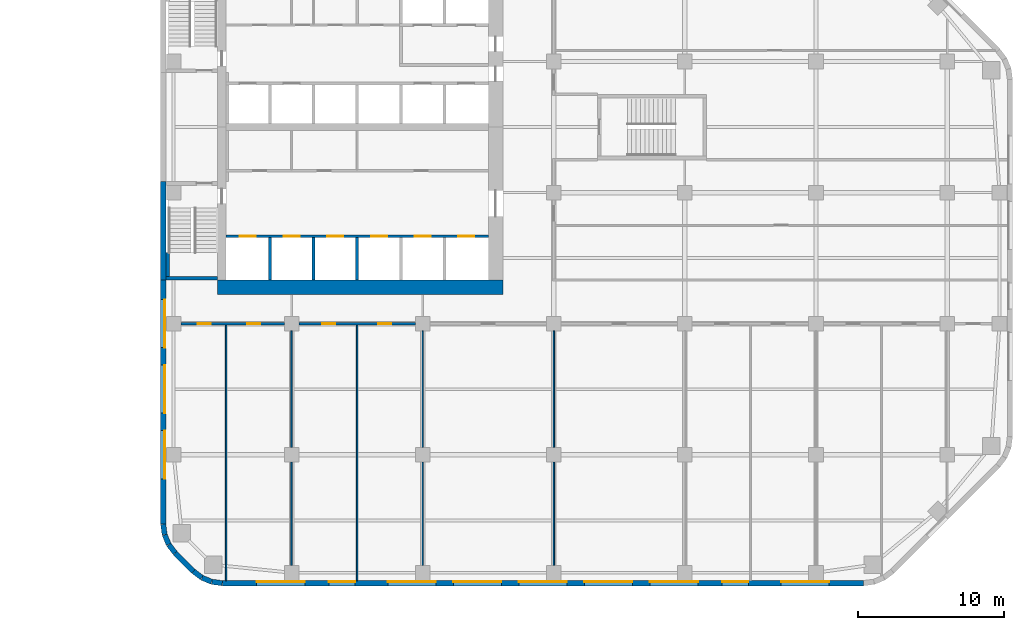
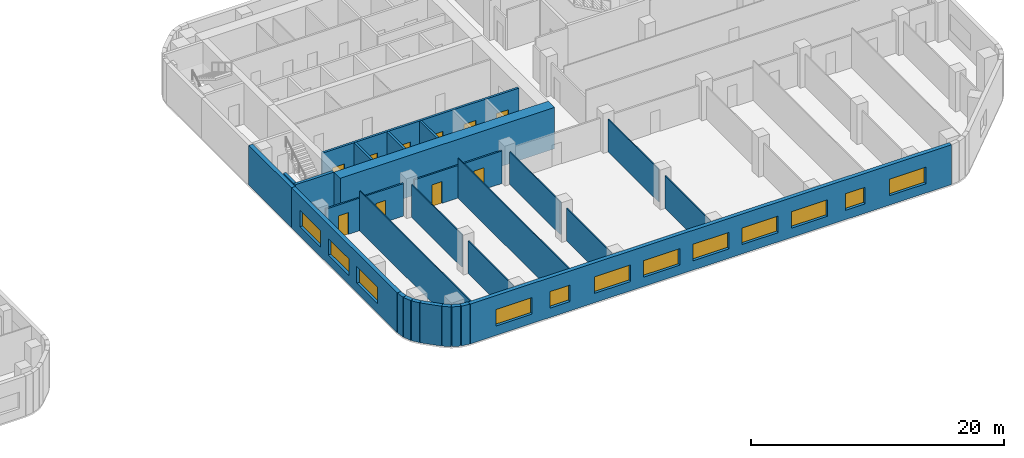
# One storey, part 8 of 15: 27 walls, 12 windows, 10 doors, 22 openings.
"""IFC4 building model written with IfcOpenShell, lengths in metres."""

from ifc_helpers import new_model, si_unit, direction, frame, frame_2d, origin, place, context, subcontext, project, spatial, rectangle, extrude, material, layer, layer_set, type_object, element, fill, save


model = new_model("IFC4")

# Units and contexts
model_context = context("Model", 3, precision=1e-05, world=origin(), true_north=direction((0.0, 1.0)))
body_context = subcontext(model_context, "Body", "Model", "MODEL_VIEW")
ifc_project = project(units=[si_unit("LENGTHUNIT", "METRE"), si_unit("AREAUNIT", "SQUARE_METRE"), si_unit("VOLUMEUNIT", "CUBIC_METRE"), si_unit("PLANEANGLEUNIT", "RADIAN"), si_unit("MASSUNIT", "GRAM", prefix="KILO")], contexts=[model_context])

# Site, building, storey
site_placement = place(None, origin())
site = spatial("IfcSite", under=ifc_project, at=site_placement, CompositionType="ELEMENT")
building_placement = place(site_placement, origin())
building = spatial("IfcBuilding", under=site, at=building_placement, Name="Cinnabar Reach Civic Tower", CompositionType="ELEMENT")
storey_placement = place(building_placement, frame((0.0, 0.0, 59.0)))
storey = spatial("IfcBuildingStorey", under=building, at=storey_placement, Name="L13", CompositionType="ELEMENT", Elevation=59.0)

# Walls
ifc_material_1 = material(Name="Facing brick with insulated backing", Category="masonry")
ifc_layer_1 = layer(ifc_material_1, 0.36)
ifc_layer_set_1 = layer_set([ifc_layer_1], Name="Brick corner wall")
wall_type_1 = type_object("IfcWallType", Name="Brick corner wall", PredefinedType="STANDARD", material=ifc_layer_set_1)
for number, where, z_axis, x_axis, name in (
    (1, (0.183, 4.2314, 0.0), (0.0, 0.0, 1.0), (0.13055608231, -0.99144092581, 0.0), "Brick corner wall"),
    (2, (0.2819, 3.5027, 0.0), (0.0, 0.0, 1.0), (0.382702709855, -0.923871547278, 0.0), "Brick corner wall"),
):
    element("IfcWall", number, at=place(storey_placement, frame(where, z_axis=z_axis, x_axis=x_axis)), inside=storey, type_object=wall_type_1, Name=name, PredefinedType="STANDARD", context=body_context, shape_type="SweptSolid", body=[
        extrude(rectangle(XDim=0.7131, YDim=0.36, at=frame_2d((0.3565, 0.0))), origin(), (0.0, 0.0, 1.0), 3.85),
    ])
for number, where, z_axis, x_axis, name in (
    (3, (0.566, 2.8245, 0.0), (0.0, 0.0, 1.0), (0.608802368033, -0.793321924995, 0.0), "Brick corner wall"),
    (4, (2.2587, 1.0002, 0.0), (0.0, 0.0, 1.0), (0.793321924995, -0.608802368033, 0.0), "Brick corner wall"),
):
    element("IfcWall", number, at=place(storey_placement, frame(where, z_axis=z_axis, x_axis=x_axis)), inside=storey, type_object=wall_type_1, Name=name, PredefinedType="STANDARD", context=body_context, shape_type="SweptSolid", body=[
        extrude(rectangle(XDim=0.7132, YDim=0.36, at=frame_2d((0.3566, 0.0))), origin(), (0.0, 0.0, 1.0), 3.85),
    ])
for number, where, z_axis, x_axis, name in (
    (5, (2.8439, 0.5548, 0.0), (0.0, 0.0, 1.0), (0.923871547278, -0.382702709855, 0.0), "Brick corner wall"),
    (6, (3.5244, 0.2761, 0.0), (0.0, 0.0, 1.0), (0.99144092581, -0.13055608231, 0.0), "Brick corner wall"),
):
    element("IfcWall", number, at=place(storey_placement, frame(where, z_axis=z_axis, x_axis=x_axis)), inside=storey, type_object=wall_type_1, Name=name, PredefinedType="STANDARD", context=body_context, shape_type="SweptSolid", body=[
        extrude(rectangle(XDim=0.7131, YDim=0.36, at=frame_2d((0.3565, 0.0))), origin(), (0.0, 0.0, 1.0), 3.85),
    ])

# Wall, openings, windows
ifc_layer_2 = layer(ifc_material_1, 0.36)
ifc_layer_set_2 = layer_set([ifc_layer_2], Name="Brick pier and spandrel wall")
wall_type_2 = type_object("IfcWallType", Name="Brick pier and spandrel wall", PredefinedType="STANDARD", material=ifc_layer_set_2)
wall_1_placement = place(storey_placement, frame((4.2426, 0.18, 0.0), z_axis=(0.0, 0.0, 1.0), x_axis=(1.0, 0.0, 0.0)))
wall_1 = element("IfcWall", 7, at=wall_1_placement, inside=storey, type_object=wall_type_2, Name="Brick facade wall", PredefinedType="STANDARD", context=body_context, shape_type="SweptSolid", body=[
    extrude(rectangle(XDim=44.0148, YDim=0.36, at=frame_2d((22.0074, 0.0))), origin(), (0.0, 0.0, 1.0), 3.85),
])
opening_1_placement = place(wall_1_placement, frame((2.3574, 0.0, 0.9)))
opening_1 = element("IfcOpeningElement", 8, at=opening_1_placement, cuts=wall_1, Name="Opening W1213", PredefinedType="OPENING", context=body_context, shape_type="SweptSolid", body=[
    extrude(rectangle(XDim=3.3, YDim=1.6, at=frame_2d((1.65, 0.8))), frame((0.0, 0.19, 0.0), z_axis=(0.0, -1.0, 0.0), x_axis=(1.0, 0.0, 0.0)), (0.0, 0.0, 1.0), 0.38),
])
opening_2_placement = place(wall_1_placement, frame((7.3074, 0.0, 0.9)))
opening_2 = element("IfcOpeningElement", 9, at=opening_2_placement, cuts=wall_1, Name="Opening W1214", PredefinedType="OPENING", context=body_context, shape_type="SweptSolid", body=[
    extrude(rectangle(XDim=1.8, YDim=1.6, at=frame_2d((0.9, 0.8))), frame((0.0, 0.19, 0.0), z_axis=(0.0, -1.0, 0.0), x_axis=(1.0, 0.0, 0.0)), (0.0, 0.0, 1.0), 0.38),
])
opening_3_placement = place(wall_1_placement, frame((11.3574, 0.0, 0.9)))
opening_3 = element("IfcOpeningElement", 10, at=opening_3_placement, cuts=wall_1, Name="Opening W1215", PredefinedType="OPENING", context=body_context, shape_type="SweptSolid", body=[
    extrude(rectangle(XDim=3.3, YDim=1.6, at=frame_2d((1.65, 0.8))), frame((0.0, 0.19, 0.0), z_axis=(0.0, -1.0, 0.0), x_axis=(1.0, 0.0, 0.0)), (0.0, 0.0, 1.0), 0.38),
])
opening_4_placement = place(wall_1_placement, frame((15.8574, 0.0, 0.9)))
opening_4 = element("IfcOpeningElement", 11, at=opening_4_placement, cuts=wall_1, Name="Opening W1216", PredefinedType="OPENING", context=body_context, shape_type="SweptSolid", body=[
    extrude(rectangle(XDim=3.3, YDim=1.6, at=frame_2d((1.65, 0.8))), frame((0.0, 0.19, 0.0), z_axis=(0.0, -1.0, 0.0), x_axis=(1.0, 0.0, 0.0)), (0.0, 0.0, 1.0), 0.38),
])
opening_5_placement = place(wall_1_placement, frame((20.3574, 0.0, 0.9)))
opening_5 = element("IfcOpeningElement", 12, at=opening_5_placement, cuts=wall_1, Name="Opening W1217", PredefinedType="OPENING", context=body_context, shape_type="SweptSolid", body=[
    extrude(rectangle(XDim=3.3, YDim=1.6, at=frame_2d((1.65, 0.8))), frame((0.0, 0.19, 0.0), z_axis=(0.0, -1.0, 0.0), x_axis=(1.0, 0.0, 0.0)), (0.0, 0.0, 1.0), 0.38),
])
opening_6_placement = place(wall_1_placement, frame((24.8574, 0.0, 0.9)))
opening_6 = element("IfcOpeningElement", 13, at=opening_6_placement, cuts=wall_1, Name="Opening W1218", PredefinedType="OPENING", context=body_context, shape_type="SweptSolid", body=[
    extrude(rectangle(XDim=3.3, YDim=1.6, at=frame_2d((1.65, 0.8))), frame((0.0, 0.19, 0.0), z_axis=(0.0, -1.0, 0.0), x_axis=(1.0, 0.0, 0.0)), (0.0, 0.0, 1.0), 0.38),
])
opening_7_placement = place(wall_1_placement, frame((29.3574, 0.0, 0.9)))
opening_7 = element("IfcOpeningElement", 14, at=opening_7_placement, cuts=wall_1, Name="Opening W1219", PredefinedType="OPENING", context=body_context, shape_type="SweptSolid", body=[
    extrude(rectangle(XDim=3.3, YDim=1.6, at=frame_2d((1.65, 0.8))), frame((0.0, 0.19, 0.0), z_axis=(0.0, -1.0, 0.0), x_axis=(1.0, 0.0, 0.0)), (0.0, 0.0, 1.0), 0.38),
])
opening_8_placement = place(wall_1_placement, frame((34.3074, 0.0, 0.9)))
opening_8 = element("IfcOpeningElement", 15, at=opening_8_placement, cuts=wall_1, Name="Opening W1220", PredefinedType="OPENING", context=body_context, shape_type="SweptSolid", body=[
    extrude(rectangle(XDim=1.8, YDim=1.6, at=frame_2d((0.9, 0.8))), frame((0.0, 0.19, 0.0), z_axis=(0.0, -1.0, 0.0), x_axis=(1.0, 0.0, 0.0)), (0.0, 0.0, 1.0), 0.38),
])
opening_9_placement = place(wall_1_placement, frame((38.3574, 0.0, 0.9)))
opening_9 = element("IfcOpeningElement", 16, at=opening_9_placement, cuts=wall_1, Name="Opening W1221", PredefinedType="OPENING", context=body_context, shape_type="SweptSolid", body=[
    extrude(rectangle(XDim=3.3, YDim=1.6, at=frame_2d((1.65, 0.8))), frame((0.0, 0.19, 0.0), z_axis=(0.0, -1.0, 0.0), x_axis=(1.0, 0.0, 0.0)), (0.0, 0.0, 1.0), 0.38),
])
ifc_material_2 = material(Name="Clear double glazing in aluminium frame", Category="aluminium")
window_type_1 = type_object("IfcWindowType", Name="Deep-set window A", PartitioningType="SINGLE_PANEL", PredefinedType="WINDOW", material=ifc_material_2)
window_1_placement = place(opening_1_placement, origin())
window_1 = element("IfcWindow", 17, at=window_1_placement, inside=storey, type_object=window_type_1, Name="Window south face", OverallHeight=1.6, OverallWidth=3.3, PartitioningType="SINGLE_PANEL", PredefinedType="WINDOW", context=body_context, shape_type="SweptSolid", body=[
    extrude(rectangle(XDim=3.3, YDim=1.6, at=frame_2d((1.65, 0.8))), frame((0.0, 0.13, 0.0), z_axis=(0.0, -1.0, 0.0), x_axis=(1.0, 0.0, 0.0)), (0.0, 0.0, 1.0), 0.06),
])
fill(opening_1, window_1)
window_2_placement = place(opening_3_placement, origin())
window_2 = element("IfcWindow", 18, at=window_2_placement, inside=storey, type_object=window_type_1, Name="Window south face", OverallHeight=1.6, OverallWidth=3.3, PartitioningType="SINGLE_PANEL", PredefinedType="WINDOW", context=body_context, shape_type="SweptSolid", body=[
    extrude(rectangle(XDim=3.3, YDim=1.6, at=frame_2d((1.65, 0.8))), frame((0.0, 0.13, 0.0), z_axis=(0.0, -1.0, 0.0), x_axis=(1.0, 0.0, 0.0)), (0.0, 0.0, 1.0), 0.06),
])
fill(opening_3, window_2)
window_3_placement = place(opening_4_placement, origin())
window_3 = element("IfcWindow", 19, at=window_3_placement, inside=storey, type_object=window_type_1, Name="Window south face", OverallHeight=1.6, OverallWidth=3.3, PartitioningType="SINGLE_PANEL", PredefinedType="WINDOW", context=body_context, shape_type="SweptSolid", body=[
    extrude(rectangle(XDim=3.3, YDim=1.6, at=frame_2d((1.65, 0.8))), frame((0.0, 0.13, 0.0), z_axis=(0.0, -1.0, 0.0), x_axis=(1.0, 0.0, 0.0)), (0.0, 0.0, 1.0), 0.06),
])
fill(opening_4, window_3)
window_4_placement = place(opening_5_placement, origin())
window_4 = element("IfcWindow", 20, at=window_4_placement, inside=storey, type_object=window_type_1, Name="Window south face", OverallHeight=1.6, OverallWidth=3.3, PartitioningType="SINGLE_PANEL", PredefinedType="WINDOW", context=body_context, shape_type="SweptSolid", body=[
    extrude(rectangle(XDim=3.3, YDim=1.6, at=frame_2d((1.65, 0.8))), frame((0.0, 0.13, 0.0), z_axis=(0.0, -1.0, 0.0), x_axis=(1.0, 0.0, 0.0)), (0.0, 0.0, 1.0), 0.06),
])
fill(opening_5, window_4)
window_5_placement = place(opening_6_placement, origin())
window_5 = element("IfcWindow", 21, at=window_5_placement, inside=storey, type_object=window_type_1, Name="Window south face", OverallHeight=1.6, OverallWidth=3.3, PartitioningType="SINGLE_PANEL", PredefinedType="WINDOW", context=body_context, shape_type="SweptSolid", body=[
    extrude(rectangle(XDim=3.3, YDim=1.6, at=frame_2d((1.65, 0.8))), frame((0.0, 0.13, 0.0), z_axis=(0.0, -1.0, 0.0), x_axis=(1.0, 0.0, 0.0)), (0.0, 0.0, 1.0), 0.06),
])
fill(opening_6, window_5)
window_6_placement = place(opening_7_placement, origin())
window_6 = element("IfcWindow", 22, at=window_6_placement, inside=storey, type_object=window_type_1, Name="Window south face", OverallHeight=1.6, OverallWidth=3.3, PartitioningType="SINGLE_PANEL", PredefinedType="WINDOW", context=body_context, shape_type="SweptSolid", body=[
    extrude(rectangle(XDim=3.3, YDim=1.6, at=frame_2d((1.65, 0.8))), frame((0.0, 0.13, 0.0), z_axis=(0.0, -1.0, 0.0), x_axis=(1.0, 0.0, 0.0)), (0.0, 0.0, 1.0), 0.06),
])
fill(opening_7, window_6)
window_7_placement = place(opening_9_placement, origin())
window_7 = element("IfcWindow", 23, at=window_7_placement, inside=storey, type_object=window_type_1, Name="Window south face", OverallHeight=1.6, OverallWidth=3.3, PartitioningType="SINGLE_PANEL", PredefinedType="WINDOW", context=body_context, shape_type="SweptSolid", body=[
    extrude(rectangle(XDim=3.3, YDim=1.6, at=frame_2d((1.65, 0.8))), frame((0.0, 0.13, 0.0), z_axis=(0.0, -1.0, 0.0), x_axis=(1.0, 0.0, 0.0)), (0.0, 0.0, 1.0), 0.06),
])
fill(opening_9, window_7)
window_type_2 = type_object("IfcWindowType", Name="Deep-set window D", PartitioningType="SINGLE_PANEL", PredefinedType="WINDOW", material=ifc_material_2)
window_8_placement = place(opening_2_placement, origin())
window_8 = element("IfcWindow", 24, at=window_8_placement, inside=storey, type_object=window_type_2, Name="Window south face", OverallHeight=1.6, OverallWidth=1.8, PartitioningType="SINGLE_PANEL", PredefinedType="WINDOW", context=body_context, shape_type="SweptSolid", body=[
    extrude(rectangle(XDim=1.8, YDim=1.6, at=frame_2d((0.9, 0.8))), frame((0.0, 0.13, 0.0), z_axis=(0.0, -1.0, 0.0), x_axis=(1.0, 0.0, 0.0)), (0.0, 0.0, 1.0), 0.06),
])
fill(opening_2, window_8)
window_9_placement = place(opening_8_placement, origin())
window_9 = element("IfcWindow", 25, at=window_9_placement, inside=storey, type_object=window_type_2, Name="Window south face", OverallHeight=1.6, OverallWidth=1.8, PartitioningType="SINGLE_PANEL", PredefinedType="WINDOW", context=body_context, shape_type="SweptSolid", body=[
    extrude(rectangle(XDim=1.8, YDim=1.6, at=frame_2d((0.9, 0.8))), frame((0.0, 0.13, 0.0), z_axis=(0.0, -1.0, 0.0), x_axis=(1.0, 0.0, 0.0)), (0.0, 0.0, 1.0), 0.06),
])
fill(opening_8, window_9)

# Wall
wall_2_placement = place(storey_placement, frame((0.18, 27.75, 0.0), z_axis=(0.0, 0.0, 1.0), x_axis=(0.0, -1.0, 0.0)))
element("IfcWall", 26, at=wall_2_placement, inside=storey, type_object=wall_type_2, Name="Brick facade wall", PredefinedType="STANDARD", context=body_context, shape_type="SweptSolid", body=[
    extrude(rectangle(XDim=6.75, YDim=0.36, at=frame_2d((3.375, 0.0))), origin(), (0.0, 0.0, 1.0), 3.85),
])

# Wall, openings, windows
wall_3_placement = place(storey_placement, frame((0.18, 21.0, 0.0), z_axis=(0.0, 0.0, 1.0), x_axis=(0.0, -1.0, 0.0)))
wall_3 = element("IfcWall", 27, at=wall_3_placement, inside=storey, type_object=wall_type_2, Name="Brick facade wall", PredefinedType="STANDARD", context=body_context, shape_type="SweptSolid", body=[
    extrude(rectangle(XDim=16.7574, YDim=0.36, at=frame_2d((8.3787, 0.0))), origin(), (0.0, 0.0, 1.0), 3.85),
])
opening_10_placement = place(wall_3_placement, frame((1.35, 0.0, 0.9)))
opening_10 = element("IfcOpeningElement", 28, at=opening_10_placement, cuts=wall_3, Name="Opening W1237", PredefinedType="OPENING", context=body_context, shape_type="SweptSolid", body=[
    extrude(rectangle(XDim=3.3, YDim=1.6, at=frame_2d((1.65, 0.8))), frame((0.0, 0.19, 0.0), z_axis=(0.0, -1.0, 0.0), x_axis=(1.0, 0.0, 0.0)), (0.0, 0.0, 1.0), 0.38),
])
opening_11_placement = place(wall_3_placement, frame((5.85, 0.0, 0.9)))
opening_11 = element("IfcOpeningElement", 29, at=opening_11_placement, cuts=wall_3, Name="Opening W1238", PredefinedType="OPENING", context=body_context, shape_type="SweptSolid", body=[
    extrude(rectangle(XDim=3.3, YDim=1.6, at=frame_2d((1.65, 0.8))), frame((0.0, 0.19, 0.0), z_axis=(0.0, -1.0, 0.0), x_axis=(1.0, 0.0, 0.0)), (0.0, 0.0, 1.0), 0.38),
])
opening_12_placement = place(wall_3_placement, frame((10.35, 0.0, 0.9)))
opening_12 = element("IfcOpeningElement", 30, at=opening_12_placement, cuts=wall_3, Name="Opening W1239", PredefinedType="OPENING", context=body_context, shape_type="SweptSolid", body=[
    extrude(rectangle(XDim=3.3, YDim=1.6, at=frame_2d((1.65, 0.8))), frame((0.0, 0.19, 0.0), z_axis=(0.0, -1.0, 0.0), x_axis=(1.0, 0.0, 0.0)), (0.0, 0.0, 1.0), 0.38),
])
window_10_placement = place(opening_10_placement, origin())
window_10 = element("IfcWindow", 31, at=window_10_placement, inside=storey, type_object=window_type_1, Name="Window west face", OverallHeight=1.6, OverallWidth=3.3, PartitioningType="SINGLE_PANEL", PredefinedType="WINDOW", context=body_context, shape_type="SweptSolid", body=[
    extrude(rectangle(XDim=3.3, YDim=1.6, at=frame_2d((1.65, 0.8))), frame((0.0, 0.13, 0.0), z_axis=(0.0, -1.0, 0.0), x_axis=(1.0, 0.0, 0.0)), (0.0, 0.0, 1.0), 0.06),
])
fill(opening_10, window_10)
window_11_placement = place(opening_11_placement, origin())
window_11 = element("IfcWindow", 32, at=window_11_placement, inside=storey, type_object=window_type_1, Name="Window west face", OverallHeight=1.6, OverallWidth=3.3, PartitioningType="SINGLE_PANEL", PredefinedType="WINDOW", context=body_context, shape_type="SweptSolid", body=[
    extrude(rectangle(XDim=3.3, YDim=1.6, at=frame_2d((1.65, 0.8))), frame((0.0, 0.13, 0.0), z_axis=(0.0, -1.0, 0.0), x_axis=(1.0, 0.0, 0.0)), (0.0, 0.0, 1.0), 0.06),
])
fill(opening_11, window_11)
window_12_placement = place(opening_12_placement, origin())
window_12 = element("IfcWindow", 33, at=window_12_placement, inside=storey, type_object=window_type_1, Name="Window west face", OverallHeight=1.6, OverallWidth=3.3, PartitioningType="SINGLE_PANEL", PredefinedType="WINDOW", context=body_context, shape_type="SweptSolid", body=[
    extrude(rectangle(XDim=3.3, YDim=1.6, at=frame_2d((1.65, 0.8))), frame((0.0, 0.13, 0.0), z_axis=(0.0, -1.0, 0.0), x_axis=(1.0, 0.0, 0.0)), (0.0, 0.0, 1.0), 0.06),
])
fill(opening_12, window_12)

# Walls
wall_4_placement = place(storey_placement, frame((1.006, 2.2486, 0.0), z_axis=(0.0, 0.0, 1.0), x_axis=(0.707106781187, -0.707106781187, 0.0)))
element("IfcWall", 34, at=wall_4_placement, inside=storey, type_object=wall_type_2, Name="Brick facade wall", PredefinedType="STANDARD", context=body_context, shape_type="SweptSolid", body=[
    extrude(rectangle(XDim=1.7573, YDim=0.36, at=frame_2d((0.8787, 0.0))), origin(), (0.0, 0.0, 1.0), 3.85),
])
ifc_material_3 = material(Name="Concrete C70", Category="concrete")
ifc_layer_3 = layer(ifc_material_3, 1.0)
ifc_layer_set_3 = layer_set([ifc_layer_3], Name="Core wall 1000 EI 180")
wall_type_3 = type_object("IfcWallType", Name="Core wall 1000 EI 180", PredefinedType="SOLIDWALL", material=ifc_layer_set_3)
wall_5_placement = place(storey_placement, frame((3.9, 20.5, 0.0), z_axis=(0.0, 0.0, 1.0), x_axis=(1.0, 0.0, 0.0)))
element("IfcWall", 35, at=wall_5_placement, inside=storey, type_object=wall_type_3, Name="Core wall T1 L13 S", PredefinedType="SOLIDWALL", context=body_context, shape_type="SweptSolid", body=[
    extrude(rectangle(XDim=19.6, YDim=1.0, at=frame_2d((9.8, 0.0))), origin(), (0.0, 0.0, 1.0), 4.0),
])

# Wall, openings, doors
ifc_material_4 = material(Name="Gypsum board on steel studs, double layer", Category="steel")
ifc_layer_4 = layer(ifc_material_4, 0.15)
ifc_layer_set_4 = layer_set([ifc_layer_4], Name="Corridor wall 150 T1")
wall_type_4 = type_object("IfcWallType", Name="Corridor wall 150 T1", PredefinedType="PARTITIONING", material=ifc_layer_set_4)
wall_6_placement = place(storey_placement, frame((9.5, 18.0, 0.0), z_axis=(0.0, 0.0, 1.0), x_axis=(1.0, 0.0, 0.0)))
wall_6 = element("IfcWall", 36, at=wall_6_placement, inside=storey, type_object=wall_type_4, Name="Corridor wall 24", PredefinedType="PARTITIONING", context=body_context, shape_type="SweptSolid", body=[
    extrude(rectangle(XDim=8.0, YDim=0.15, at=frame_2d((4.0, 0.0))), origin(), (0.0, 0.0, 1.0), 3.15),
])
opening_13_placement = place(wall_6_placement, frame((1.6, 0.0, 0.0)))
opening_13 = element("IfcOpeningElement", 37, at=opening_13_placement, cuts=wall_6, Name="Opening D3549", PredefinedType="OPENING", context=body_context, shape_type="SweptSolid", body=[
    extrude(rectangle(XDim=0.9, YDim=2.1, at=frame_2d((0.45, 1.05))), frame((0.0, 0.085, 0.0), z_axis=(0.0, -1.0, 0.0), x_axis=(1.0, 0.0, 0.0)), (0.0, 0.0, 1.0), 0.17),
])
opening_14_placement = place(wall_6_placement, frame((5.45, 0.0, 0.0)))
opening_14 = element("IfcOpeningElement", 38, at=opening_14_placement, cuts=wall_6, Name="Opening D3550", PredefinedType="OPENING", context=body_context, shape_type="SweptSolid", body=[
    extrude(rectangle(XDim=0.9, YDim=2.1, at=frame_2d((0.45, 1.05))), frame((0.0, 0.085, 0.0), z_axis=(0.0, -1.0, 0.0), x_axis=(1.0, 0.0, 0.0)), (0.0, 0.0, 1.0), 0.17),
])
ifc_material_5 = material(Name="Timber door leaf in steel frame", Category="steel")
door_type_1 = type_object("IfcDoorType", Name="Single swing door 900 x 2100 corridor T1", OperationType="SINGLE_SWING_LEFT", PredefinedType="DOOR", material=ifc_material_5)
door_1_placement = place(opening_13_placement, frame((0.9, 0.0, 0.0), z_axis=(0.0, 0.0, 1.0), x_axis=(-1.0, 0.0, 0.0)))
door_1 = element("IfcDoor", 39, at=door_1_placement, inside=storey, type_object=door_type_1, Name="Door D3549", OperationType="SINGLE_SWING_LEFT", OverallHeight=2.1, OverallWidth=0.9, PredefinedType="DOOR", context=body_context, shape_type="SweptSolid", body=[
    extrude(rectangle(XDim=0.9, YDim=2.1, at=frame_2d((0.45, 1.05))), frame((0.0, 0.025, 0.0), z_axis=(0.0, -1.0, 0.0), x_axis=(1.0, 0.0, 0.0)), (0.0, 0.0, 1.0), 0.05),
])
fill(opening_13, door_1)
door_2_placement = place(opening_14_placement, frame((0.9, 0.0, 0.0), z_axis=(0.0, 0.0, 1.0), x_axis=(-1.0, 0.0, 0.0)))
door_2 = element("IfcDoor", 40, at=door_2_placement, inside=storey, type_object=door_type_1, Name="Door D3550", OperationType="SINGLE_SWING_RIGHT", OverallHeight=2.1, OverallWidth=0.9, PredefinedType="DOOR", context=body_context, shape_type="SweptSolid", body=[
    extrude(rectangle(XDim=0.9, YDim=2.1, at=frame_2d((0.45, 1.05))), frame((0.0, 0.025, 0.0), z_axis=(0.0, -1.0, 0.0), x_axis=(1.0, 0.0, 0.0)), (0.0, 0.0, 1.0), 0.05),
])
fill(opening_14, door_2)

wall_7_placement = place(storey_placement, frame((1.4, 18.0, 0.0), z_axis=(0.0, 0.0, 1.0), x_axis=(1.0, 0.0, 0.0)))
wall_7 = element("IfcWall", 41, at=wall_7_placement, inside=storey, type_object=wall_type_4, Name="Corridor wall 25", PredefinedType="PARTITIONING", context=body_context, shape_type="SweptSolid", body=[
    extrude(rectangle(XDim=7.1, YDim=0.15, at=frame_2d((3.55, 0.0))), origin(), (0.0, 0.0, 1.0), 3.15),
])
opening_15_placement = place(wall_7_placement, frame((1.15, 0.0, 0.0)))
opening_15 = element("IfcOpeningElement", 42, at=opening_15_placement, cuts=wall_7, Name="Opening D3547", PredefinedType="OPENING", context=body_context, shape_type="SweptSolid", body=[
    extrude(rectangle(XDim=0.9, YDim=2.1, at=frame_2d((0.45, 1.05))), frame((0.0, 0.085, 0.0), z_axis=(0.0, -1.0, 0.0), x_axis=(1.0, 0.0, 0.0)), (0.0, 0.0, 1.0), 0.17),
])
opening_16_placement = place(wall_7_placement, frame((4.55, 0.0, 0.0)))
opening_16 = element("IfcOpeningElement", 43, at=opening_16_placement, cuts=wall_7, Name="Opening D3548", PredefinedType="OPENING", context=body_context, shape_type="SweptSolid", body=[
    extrude(rectangle(XDim=0.9, YDim=2.1, at=frame_2d((0.45, 1.05))), frame((0.0, 0.085, 0.0), z_axis=(0.0, -1.0, 0.0), x_axis=(1.0, 0.0, 0.0)), (0.0, 0.0, 1.0), 0.17),
])
door_3_placement = place(opening_15_placement, frame((0.9, 0.0, 0.0), z_axis=(0.0, 0.0, 1.0), x_axis=(-1.0, 0.0, 0.0)))
door_3 = element("IfcDoor", 44, at=door_3_placement, inside=storey, type_object=door_type_1, Name="Door D3547", OperationType="SINGLE_SWING_RIGHT", OverallHeight=2.1, OverallWidth=0.9, PredefinedType="DOOR", context=body_context, shape_type="SweptSolid", body=[
    extrude(rectangle(XDim=0.9, YDim=2.1, at=frame_2d((0.45, 1.05))), frame((0.0, 0.025, 0.0), z_axis=(0.0, -1.0, 0.0), x_axis=(1.0, 0.0, 0.0)), (0.0, 0.0, 1.0), 0.05),
])
fill(opening_15, door_3)
door_4_placement = place(opening_16_placement, frame((0.9, 0.0, 0.0), z_axis=(0.0, 0.0, 1.0), x_axis=(-1.0, 0.0, 0.0)))
door_4 = element("IfcDoor", 45, at=door_4_placement, inside=storey, type_object=door_type_1, Name="Door D3548", OperationType="SINGLE_SWING_LEFT", OverallHeight=2.1, OverallWidth=0.9, PredefinedType="DOOR", context=body_context, shape_type="SweptSolid", body=[
    extrude(rectangle(XDim=0.9, YDim=2.1, at=frame_2d((0.45, 1.05))), frame((0.0, 0.025, 0.0), z_axis=(0.0, -1.0, 0.0), x_axis=(1.0, 0.0, 0.0)), (0.0, 0.0, 1.0), 0.05),
])
fill(opening_16, door_4)

ifc_material_6 = material(Name="Blockwork", Category="masonry")
ifc_layer_5 = layer(ifc_material_6, 0.2)
ifc_layer_set_5 = layer_set([ifc_layer_5], Name="Lift shaft wall 200 T1")
wall_type_5 = type_object("IfcWallType", Name="Lift shaft wall 200 T1", PredefinedType="PARTITIONING", material=ifc_layer_set_5)
wall_8_placement = place(storey_placement, frame((4.5, 24.0, 0.0), z_axis=(0.0, 0.0, 1.0), x_axis=(1.0, 0.0, 0.0)))
wall_8 = element("IfcWall", 46, at=wall_8_placement, inside=storey, type_object=wall_type_5, Name="Lift shaft wall 4", PredefinedType="PARTITIONING", context=body_context, shape_type="SweptSolid", body=[
    extrude(rectangle(XDim=18.0, YDim=0.2, at=frame_2d((9.0, 0.0))), origin(), (0.0, 0.0, 1.0), 3.85),
])
opening_17_placement = place(wall_8_placement, frame((0.95, 0.0, 0.0)))
opening_17 = element("IfcOpeningElement", 47, at=opening_17_placement, cuts=wall_8, Name="Opening D3520", PredefinedType="OPENING", context=body_context, shape_type="SweptSolid", body=[
    extrude(rectangle(XDim=1.1, YDim=2.1, at=frame_2d((0.55, 1.05))), frame((0.0, 0.11, 0.0), z_axis=(0.0, -1.0, 0.0), x_axis=(1.0, 0.0, 0.0)), (0.0, 0.0, 1.0), 0.22),
])
opening_18_placement = place(wall_8_placement, frame((3.95, 0.0, 0.0)))
opening_18 = element("IfcOpeningElement", 48, at=opening_18_placement, cuts=wall_8, Name="Opening D3521", PredefinedType="OPENING", context=body_context, shape_type="SweptSolid", body=[
    extrude(rectangle(XDim=1.1, YDim=2.1, at=frame_2d((0.55, 1.05))), frame((0.0, 0.11, 0.0), z_axis=(0.0, -1.0, 0.0), x_axis=(1.0, 0.0, 0.0)), (0.0, 0.0, 1.0), 0.22),
])
opening_19_placement = place(wall_8_placement, frame((6.95, 0.0, 0.0)))
opening_19 = element("IfcOpeningElement", 49, at=opening_19_placement, cuts=wall_8, Name="Opening D3522", PredefinedType="OPENING", context=body_context, shape_type="SweptSolid", body=[
    extrude(rectangle(XDim=1.1, YDim=2.1, at=frame_2d((0.55, 1.05))), frame((0.0, 0.11, 0.0), z_axis=(0.0, -1.0, 0.0), x_axis=(1.0, 0.0, 0.0)), (0.0, 0.0, 1.0), 0.22),
])
opening_20_placement = place(wall_8_placement, frame((9.95, 0.0, 0.0)))
opening_20 = element("IfcOpeningElement", 50, at=opening_20_placement, cuts=wall_8, Name="Opening D3523", PredefinedType="OPENING", context=body_context, shape_type="SweptSolid", body=[
    extrude(rectangle(XDim=1.1, YDim=2.1, at=frame_2d((0.55, 1.05))), frame((0.0, 0.11, 0.0), z_axis=(0.0, -1.0, 0.0), x_axis=(1.0, 0.0, 0.0)), (0.0, 0.0, 1.0), 0.22),
])
opening_21_placement = place(wall_8_placement, frame((12.95, 0.0, 0.0)))
opening_21 = element("IfcOpeningElement", 51, at=opening_21_placement, cuts=wall_8, Name="Opening D3524", PredefinedType="OPENING", context=body_context, shape_type="SweptSolid", body=[
    extrude(rectangle(XDim=1.1, YDim=2.1, at=frame_2d((0.55, 1.05))), frame((0.0, 0.11, 0.0), z_axis=(0.0, -1.0, 0.0), x_axis=(1.0, 0.0, 0.0)), (0.0, 0.0, 1.0), 0.22),
])
opening_22_placement = place(wall_8_placement, frame((15.95, 0.0, 0.0)))
opening_22 = element("IfcOpeningElement", 52, at=opening_22_placement, cuts=wall_8, Name="Opening D3525", PredefinedType="OPENING", context=body_context, shape_type="SweptSolid", body=[
    extrude(rectangle(XDim=1.1, YDim=2.1, at=frame_2d((0.55, 1.05))), frame((0.0, 0.11, 0.0), z_axis=(0.0, -1.0, 0.0), x_axis=(1.0, 0.0, 0.0)), (0.0, 0.0, 1.0), 0.22),
])
ifc_material_7 = material(Name="Stainless steel sliding door", Category="steel")
door_type_2 = type_object("IfcDoorType", Name="Lift landing door 1100 x 2100 T1", OperationType="SLIDING_TO_LEFT", PredefinedType="DOOR", material=ifc_material_7)
door_5_placement = place(opening_17_placement, origin())
door_5 = element("IfcDoor", 53, at=door_5_placement, inside=storey, type_object=door_type_2, Name="Lift landing door LR1 L13", OperationType="SLIDING_TO_LEFT", OverallHeight=2.1, OverallWidth=1.1, PredefinedType="DOOR", context=body_context, shape_type="SweptSolid", body=[
    extrude(rectangle(XDim=1.1, YDim=2.1, at=frame_2d((0.55, 1.05))), frame((0.0, 0.025, 0.0), z_axis=(0.0, -1.0, 0.0), x_axis=(1.0, 0.0, 0.0)), (0.0, 0.0, 1.0), 0.05),
])
fill(opening_17, door_5)
door_6_placement = place(opening_18_placement, origin())
door_6 = element("IfcDoor", 54, at=door_6_placement, inside=storey, type_object=door_type_2, Name="Lift landing door LR2 L13", OperationType="SLIDING_TO_LEFT", OverallHeight=2.1, OverallWidth=1.1, PredefinedType="DOOR", context=body_context, shape_type="SweptSolid", body=[
    extrude(rectangle(XDim=1.1, YDim=2.1, at=frame_2d((0.55, 1.05))), frame((0.0, 0.025, 0.0), z_axis=(0.0, -1.0, 0.0), x_axis=(1.0, 0.0, 0.0)), (0.0, 0.0, 1.0), 0.05),
])
fill(opening_18, door_6)
door_7_placement = place(opening_19_placement, origin())
door_7 = element("IfcDoor", 55, at=door_7_placement, inside=storey, type_object=door_type_2, Name="Lift landing door LR3 L13", OperationType="SLIDING_TO_LEFT", OverallHeight=2.1, OverallWidth=1.1, PredefinedType="DOOR", context=body_context, shape_type="SweptSolid", body=[
    extrude(rectangle(XDim=1.1, YDim=2.1, at=frame_2d((0.55, 1.05))), frame((0.0, 0.025, 0.0), z_axis=(0.0, -1.0, 0.0), x_axis=(1.0, 0.0, 0.0)), (0.0, 0.0, 1.0), 0.05),
])
fill(opening_19, door_7)
door_8_placement = place(opening_20_placement, origin())
door_8 = element("IfcDoor", 56, at=door_8_placement, inside=storey, type_object=door_type_2, Name="Lift landing door LR4 L13", OperationType="SLIDING_TO_LEFT", OverallHeight=2.1, OverallWidth=1.1, PredefinedType="DOOR", context=body_context, shape_type="SweptSolid", body=[
    extrude(rectangle(XDim=1.1, YDim=2.1, at=frame_2d((0.55, 1.05))), frame((0.0, 0.025, 0.0), z_axis=(0.0, -1.0, 0.0), x_axis=(1.0, 0.0, 0.0)), (0.0, 0.0, 1.0), 0.05),
])
fill(opening_20, door_8)
door_9_placement = place(opening_21_placement, origin())
door_9 = element("IfcDoor", 57, at=door_9_placement, inside=storey, type_object=door_type_2, Name="Lift landing door LR5 L13", OperationType="SLIDING_TO_LEFT", OverallHeight=2.1, OverallWidth=1.1, PredefinedType="DOOR", context=body_context, shape_type="SweptSolid", body=[
    extrude(rectangle(XDim=1.1, YDim=2.1, at=frame_2d((0.55, 1.05))), frame((0.0, 0.025, 0.0), z_axis=(0.0, -1.0, 0.0), x_axis=(1.0, 0.0, 0.0)), (0.0, 0.0, 1.0), 0.05),
])
fill(opening_21, door_9)
door_10_placement = place(opening_22_placement, origin())
door_10 = element("IfcDoor", 58, at=door_10_placement, inside=storey, type_object=door_type_2, Name="Lift landing door LR6 L13", OperationType="SLIDING_TO_LEFT", OverallHeight=2.1, OverallWidth=1.1, PredefinedType="DOOR", context=body_context, shape_type="SweptSolid", body=[
    extrude(rectangle(XDim=1.1, YDim=2.1, at=frame_2d((0.55, 1.05))), frame((0.0, 0.025, 0.0), z_axis=(0.0, -1.0, 0.0), x_axis=(1.0, 0.0, 0.0)), (0.0, 0.0, 1.0), 0.05),
])
fill(opening_22, door_10)

# Walls
for number, where, z_axis, x_axis, name in (
    (59, (7.5, 21.0, 0.0), (0.0, 0.0, 1.0), (0.0, 1.0, 0.0), "Lift shaft wall 9"),
    (60, (10.5, 21.0, 0.0), (0.0, 0.0, 1.0), (0.0, 1.0, 0.0), "Lift shaft wall 11"),
    (61, (13.5, 21.0, 0.0), (0.0, 0.0, 1.0), (0.0, 1.0, 0.0), "Lift shaft wall 13"),
):
    element("IfcWall", number, at=place(storey_placement, frame(where, z_axis=z_axis, x_axis=x_axis)), inside=storey, type_object=wall_type_5, Name=name, PredefinedType="PARTITIONING", context=body_context, shape_type="SweptSolid", body=[
        extrude(rectangle(XDim=2.9, YDim=0.2, at=frame_2d((1.45, 0.0))), origin(), (0.0, 0.0, 1.0), 3.85),
    ])
ifc_material_8 = material(Name="Gypsum board on steel studs", Category="steel")
ifc_layer_6 = layer(ifc_material_8, 0.1)
ifc_layer_set_6 = layer_set([ifc_layer_6], Name="Partition wall 100 T1")
wall_type_6 = type_object("IfcWallType", Name="Partition wall 100 T1", PredefinedType="PARTITIONING", material=ifc_layer_set_6)
wall_9_placement = place(storey_placement, frame((4.5, 0.36, 0.0), z_axis=(0.0, 0.0, 1.0), x_axis=(0.0, 1.0, 0.0)))
element("IfcWall", 62, at=wall_9_placement, inside=storey, type_object=wall_type_6, Name="Partition wall 44", PredefinedType="PARTITIONING", context=body_context, shape_type="SweptSolid", body=[
    extrude(rectangle(XDim=17.565, YDim=0.1, at=frame_2d((8.7825, 0.0))), origin(), (0.0, 0.0, 1.0), 3.85),
])
wall_10_placement = place(storey_placement, frame((9.0, 1.4, 0.0), z_axis=(0.0, 0.0, 1.0), x_axis=(0.0, 1.0, 0.0)))
element("IfcWall", 63, at=wall_10_placement, inside=storey, type_object=wall_type_6, Name="Partition wall 45", PredefinedType="PARTITIONING", context=body_context, shape_type="SweptSolid", body=[
    extrude(rectangle(XDim=7.1, YDim=0.1, at=frame_2d((3.55, 0.0))), origin(), (0.0, 0.0, 1.0), 3.158),
])
wall_11_placement = place(storey_placement, frame((9.0, 9.5, 0.0), z_axis=(0.0, 0.0, 1.0), x_axis=(0.0, 1.0, 0.0)))
element("IfcWall", 64, at=wall_11_placement, inside=storey, type_object=wall_type_6, Name="Partition wall 46", PredefinedType="PARTITIONING", context=body_context, shape_type="SweptSolid", body=[
    extrude(rectangle(XDim=8.0, YDim=0.1, at=frame_2d((4.0, 0.0))), origin(), (0.0, 0.0, 1.0), 3.158),
])
wall_12_placement = place(storey_placement, frame((13.5, 0.36, 0.0), z_axis=(0.0, 0.0, 1.0), x_axis=(0.0, 1.0, 0.0)))
element("IfcWall", 65, at=wall_12_placement, inside=storey, type_object=wall_type_6, Name="Partition wall 47", PredefinedType="PARTITIONING", context=body_context, shape_type="SweptSolid", body=[
    extrude(rectangle(XDim=17.565, YDim=0.1, at=frame_2d((8.7825, 0.0))), origin(), (0.0, 0.0, 1.0), 3.85),
])
wall_13_placement = place(storey_placement, frame((18.0, 1.4, 0.0), z_axis=(0.0, 0.0, 1.0), x_axis=(0.0, 1.0, 0.0)))
element("IfcWall", 66, at=wall_13_placement, inside=storey, type_object=wall_type_6, Name="Partition wall 48", PredefinedType="PARTITIONING", context=body_context, shape_type="SweptSolid", body=[
    extrude(rectangle(XDim=7.1, YDim=0.1, at=frame_2d((3.55, 0.0))), origin(), (0.0, 0.0, 1.0), 3.158),
])
wall_14_placement = place(storey_placement, frame((18.0, 9.5, 0.0), z_axis=(0.0, 0.0, 1.0), x_axis=(0.0, 1.0, 0.0)))
element("IfcWall", 67, at=wall_14_placement, inside=storey, type_object=wall_type_6, Name="Partition wall 49", PredefinedType="PARTITIONING", context=body_context, shape_type="SweptSolid", body=[
    extrude(rectangle(XDim=8.0, YDim=0.1, at=frame_2d((4.0, 0.0))), origin(), (0.0, 0.0, 1.0), 3.158),
])
wall_15_placement = place(storey_placement, frame((27.0, 1.4, 0.0), z_axis=(0.0, 0.0, 1.0), x_axis=(0.0, 1.0, 0.0)))
element("IfcWall", 68, at=wall_15_placement, inside=storey, type_object=wall_type_6, Name="Partition wall 50", PredefinedType="PARTITIONING", context=body_context, shape_type="SweptSolid", body=[
    extrude(rectangle(XDim=7.1, YDim=0.1, at=frame_2d((3.55, 0.0))), origin(), (0.0, 0.0, 1.0), 3.158),
])
wall_16_placement = place(storey_placement, frame((27.0, 9.5, 0.0), z_axis=(0.0, 0.0, 1.0), x_axis=(0.0, 1.0, 0.0)))
element("IfcWall", 69, at=wall_16_placement, inside=storey, type_object=wall_type_6, Name="Partition wall 51", PredefinedType="PARTITIONING", context=body_context, shape_type="SweptSolid", body=[
    extrude(rectangle(XDim=8.0, YDim=0.1, at=frame_2d((4.0, 0.0))), origin(), (0.0, 0.0, 1.0), 3.158),
])
ifc_material_9 = material(Name="Concrete C60", Category="concrete")
ifc_layer_7 = layer(ifc_material_9, 0.25)
ifc_layer_set_7 = layer_set([ifc_layer_7], Name="Stair shaft wall 250 EI 120")
wall_type_7 = type_object("IfcWallType", Name="Stair shaft wall 250 EI 120", PredefinedType="SOLIDWALL", material=ifc_layer_set_7)
wall_17_placement = place(storey_placement, frame((0.36, 21.125, 0.0), z_axis=(0.0, 0.0, 1.0), x_axis=(1.0, 0.0, 0.0)))
element("IfcWall", 70, at=wall_17_placement, inside=storey, type_object=wall_type_7, Name="Stair shaft wall T1-S1 L13", PredefinedType="SOLIDWALL", context=body_context, shape_type="SweptSolid", body=[
    extrude(rectangle(XDim=3.54, YDim=0.25, at=frame_2d((1.77, 0.0))), origin(), (0.0, 0.0, 1.0), 4.0),
])
ifc_material_10 = material(Name="Concrete C40/50", Category="concrete")
ifc_layer_8 = layer(ifc_material_10, 0.24)
ifc_layer_set_8 = layer_set([ifc_layer_8], Name="T1 landing bearer wall 240")
wall_type_8 = type_object("IfcWallType", Name="T1 landing bearer wall 240", PredefinedType="STANDARD", material=ifc_layer_set_8)
wall_18_placement = place(storey_placement, frame((0.48, 21.25, 0.0), z_axis=(0.0, 0.0, 1.0), x_axis=(0.0, 1.0, 0.0)))
element("IfcWall", 71, at=wall_18_placement, inside=storey, type_object=wall_type_8, Name="T1-S1 landing bearer wall", PredefinedType="STANDARD", context=body_context, shape_type="SweptSolid", body=[
    extrude(rectangle(XDim=1.62, YDim=0.24, at=frame_2d((0.81, 0.0))), origin(), (0.0, 0.0, 1.0), 4.0),
])

save(model, "model.ifc")
